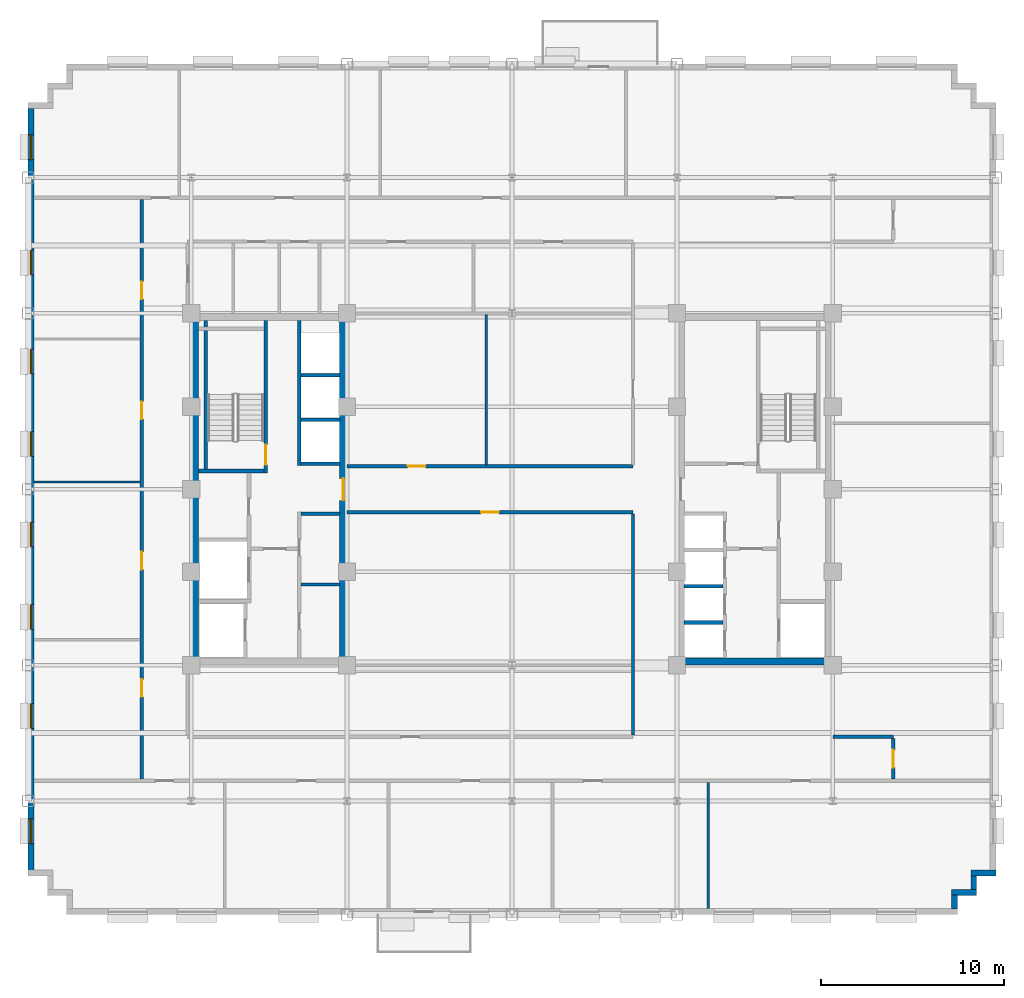
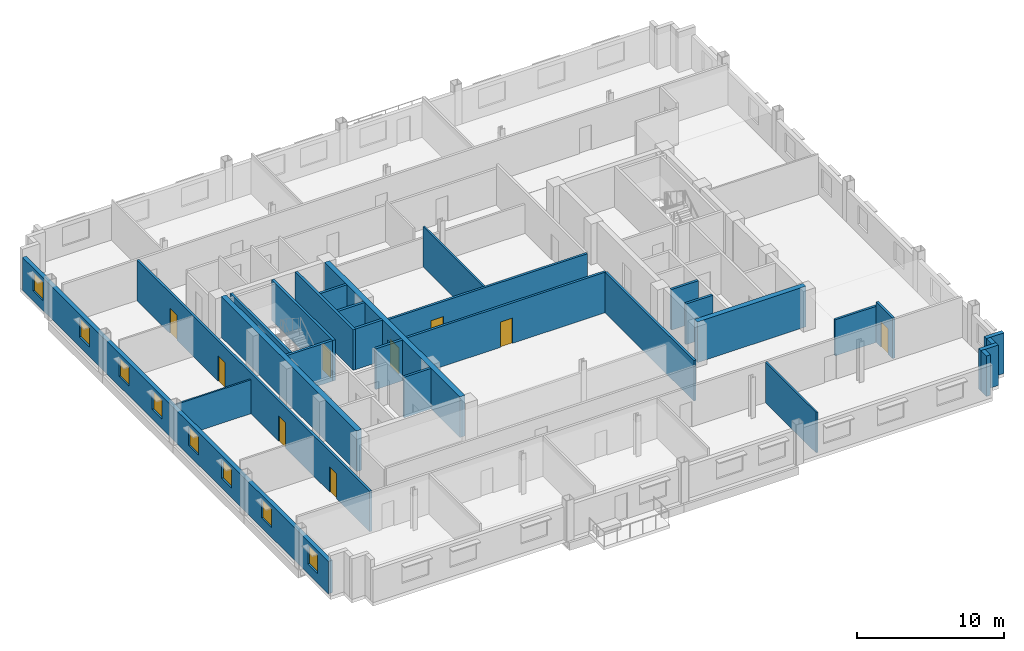
# One storey, part 7 of 14: 28 walls, 9 doors, 8 windows, 17 openings.
"""IFC4 building model written with IfcOpenShell, lengths in metres."""

from ifc_helpers import new_model, si_unit, direction, frame, frame_2d, origin, place, context, subcontext, project, spatial, rectangle, extrude, source, transform, mapped, material, layer, layer_set, type_object, type_shapes, element, fill, save


model = new_model("IFC4")

# Units and contexts
model_context = context("Model", 3, precision=1e-05, world=origin(), true_north=direction((0.0, 1.0)))
body_context = subcontext(model_context, "Body", "Model", "MODEL_VIEW")
ifc_project = project(units=[si_unit("LENGTHUNIT", "METRE"), si_unit("AREAUNIT", "SQUARE_METRE"), si_unit("VOLUMEUNIT", "CUBIC_METRE"), si_unit("PLANEANGLEUNIT", "RADIAN"), si_unit("MASSUNIT", "GRAM", prefix="KILO")], contexts=[model_context])

# Site, building, storey
site_placement = place(None, origin())
site = spatial("IfcSite", under=ifc_project, at=site_placement, CompositionType="ELEMENT")
building_placement = place(site_placement, origin())
building = spatial("IfcBuilding", under=site, at=building_placement, Name="Nuvemarco Arch Tower", CompositionType="ELEMENT")
storey_placement = place(building_placement, frame((0.0, 0.0, 160.35009765625)))
storey = spatial("IfcBuildingStorey", under=building, at=storey_placement, Name="L42", CompositionType="ELEMENT", Elevation=160.35009765625)

# Walls
ifc_material_1 = material(Name="Precast concrete C45/55", Category="concrete")
ifc_layer_1 = layer(ifc_material_1, 0.320068359375, Name="EW-MID-320")
ifc_layer_set_1 = layer_set([ifc_layer_1], Name="Precast concrete C45/55")
wall_type_1 = type_object("IfcWallType", Name="EW-MID-320", PredefinedType="STANDARD", material=ifc_layer_set_1)
wall_1_placement = place(storey_placement, frame((24.139892578125, -22.884033203125, 0.0), z_axis=(0.0, 0.0, 1.0), x_axis=(0.0, 1.0, 0.0)))
element("IfcWall", 1, at=wall_1_placement, inside=storey, type_object=wall_type_1, Name="L42 exterior precast facade wall 2", PredefinedType="STANDARD", context=body_context, shape_type="SweptSolid", body=[
    extrude(rectangle(XDim=0.738037109375, YDim=0.320068359375, at=frame_2d((0.369140625, 0.0))), origin(), (0.0, 0.0, 1.0), 3.35986328125),
])
wall_2_placement = place(storey_placement, frame((23.97998046875, -21.989990234375, 0.0), z_axis=(0.0, 0.0, 1.0), x_axis=(1.0, 0.0, 0.0)))
element("IfcWall", 2, at=wall_2_placement, inside=storey, type_object=wall_type_1, Name="L42 exterior precast facade wall 3", PredefinedType="STANDARD", context=body_context, shape_type="SweptSolid", body=[
    extrude(rectangle(XDim=1.3701171875, YDim=0.320068359375, at=frame_2d((0.68505859375, 0.0))), origin(), (0.0, 0.0, 1.0), 3.35986328125),
])
wall_3_placement = place(storey_placement, frame((25.18994140625, -21.833984375, 0.0), z_axis=(0.0, 0.0, 1.0), x_axis=(0.0, 1.0, 0.0)))
element("IfcWall", 3, at=wall_3_placement, inside=storey, type_object=wall_type_1, Name="L42 exterior precast facade wall 4", PredefinedType="STANDARD", context=body_context, shape_type="SweptSolid", body=[
    extrude(rectangle(XDim=0.738037109375, YDim=0.320068359375, at=frame_2d((0.369140625, 0.0))), origin(), (0.0, 0.0, 1.0), 3.35986328125),
])
wall_4_placement = place(storey_placement, frame((25.030029296875, -20.93994140625, 0.0), z_axis=(0.0, 0.0, 1.0), x_axis=(1.0, 0.0, 0.0)))
element("IfcWall", 4, at=wall_4_placement, inside=storey, type_object=wall_type_1, Name="L42 exterior precast facade wall 5", PredefinedType="STANDARD", context=body_context, shape_type="SweptSolid", body=[
    extrude(rectangle(XDim=1.369873046875, YDim=0.320068359375, at=frame_2d((0.68505859375, 0.0))), origin(), (0.0, 0.0, 1.0), 3.35986328125),
])

# Wall, openings, windows
wall_5_placement = place(storey_placement, frame((-26.239990234375, -20.783935546875, 0.0), z_axis=(0.0, 0.0, 1.0), x_axis=(0.0, 1.0, 0.0)))
wall_5 = element("IfcWall", 5, at=wall_5_placement, inside=storey, type_object=wall_type_1, Name="L42 exterior precast facade wall 16", PredefinedType="STANDARD", context=body_context, shape_type="SweptSolid", body=[
    extrude(rectangle(XDim=41.56787109375, YDim=0.320068359375, at=frame_2d((20.783935546875, 0.0))), origin(), (0.0, 0.0, 1.0), 2.704833984375),
])
opening_1_placement = place(wall_5_placement, frame((1.447998046875, 0.0, 0.800048828125)))
opening_1 = element("IfcOpeningElement", 6, at=opening_1_placement, cuts=wall_5, Name="Opening WN-6", PredefinedType="OPENING", context=body_context, shape_type="SweptSolid", body=[
    extrude(rectangle(XDim=1.35009765625, YDim=1.56005859375, at=frame_2d((0.675048828125, 0.780029296875))), frame((0.0, 0.169921875, 0.0), z_axis=(0.0, -1.0, 0.0), x_axis=(1.0, 0.0, 0.0)), (0.0, 0.0, 1.0), 0.340087890625),
])
opening_2_placement = place(wall_5_placement, frame((7.743896484375, 0.0, 0.800048828125)))
opening_2 = element("IfcOpeningElement", 7, at=opening_2_placement, cuts=wall_5, Name="Opening WN-6", PredefinedType="OPENING", context=body_context, shape_type="SweptSolid", body=[
    extrude(rectangle(XDim=1.35009765625, YDim=1.56005859375, at=frame_2d((0.675048828125, 0.780029296875))), frame((0.0, 0.169921875, 0.0), z_axis=(0.0, -1.0, 0.0), x_axis=(1.0, 0.0, 0.0)), (0.0, 0.0, 1.0), 0.340087890625),
])
opening_3_placement = place(wall_5_placement, frame((13.139892578125, 0.0, 0.800048828125)))
opening_3 = element("IfcOpeningElement", 8, at=opening_3_placement, cuts=wall_5, Name="Opening WN-6", PredefinedType="OPENING", context=body_context, shape_type="SweptSolid", body=[
    extrude(rectangle(XDim=1.35009765625, YDim=1.56005859375, at=frame_2d((0.675048828125, 0.780029296875))), frame((0.0, 0.169921875, 0.0), z_axis=(0.0, -1.0, 0.0), x_axis=(1.0, 0.0, 0.0)), (0.0, 0.0, 1.0), 0.340087890625),
])
opening_4_placement = place(wall_5_placement, frame((17.635986328125, 0.0, 0.800048828125)))
opening_4 = element("IfcOpeningElement", 9, at=opening_4_placement, cuts=wall_5, Name="Opening WN-6", PredefinedType="OPENING", context=body_context, shape_type="SweptSolid", body=[
    extrude(rectangle(XDim=1.35009765625, YDim=1.56005859375, at=frame_2d((0.675048828125, 0.780029296875))), frame((0.0, 0.169921875, 0.0), z_axis=(0.0, -1.0, 0.0), x_axis=(1.0, 0.0, 0.0)), (0.0, 0.0, 1.0), 0.340087890625),
])
opening_5_placement = place(wall_5_placement, frame((22.58203125, 0.0, 0.800048828125)))
opening_5 = element("IfcOpeningElement", 10, at=opening_5_placement, cuts=wall_5, Name="Opening WN-6", PredefinedType="OPENING", context=body_context, shape_type="SweptSolid", body=[
    extrude(rectangle(XDim=1.35009765625, YDim=1.56005859375, at=frame_2d((0.675048828125, 0.780029296875))), frame((0.0, 0.169921875, 0.0), z_axis=(0.0, -1.0, 0.0), x_axis=(1.0, 0.0, 0.0)), (0.0, 0.0, 1.0), 0.340087890625),
])
opening_6_placement = place(wall_5_placement, frame((27.077880859375, 0.0, 0.800048828125)))
opening_6 = element("IfcOpeningElement", 11, at=opening_6_placement, cuts=wall_5, Name="Opening WN-6", PredefinedType="OPENING", context=body_context, shape_type="SweptSolid", body=[
    extrude(rectangle(XDim=1.35009765625, YDim=1.56005859375, at=frame_2d((0.675048828125, 0.780029296875))), frame((0.0, 0.169921875, 0.0), z_axis=(0.0, -1.0, 0.0), x_axis=(1.0, 0.0, 0.0)), (0.0, 0.0, 1.0), 0.340087890625),
])
opening_7_placement = place(wall_5_placement, frame((32.47412109375, 0.0, 0.800048828125)))
opening_7 = element("IfcOpeningElement", 12, at=opening_7_placement, cuts=wall_5, Name="Opening WN-6", PredefinedType="OPENING", context=body_context, shape_type="SweptSolid", body=[
    extrude(rectangle(XDim=1.35009765625, YDim=1.56005859375, at=frame_2d((0.675048828125, 0.780029296875))), frame((0.0, 0.169921875, 0.0), z_axis=(0.0, -1.0, 0.0), x_axis=(1.0, 0.0, 0.0)), (0.0, 0.0, 1.0), 0.340087890625),
])
opening_8_placement = place(wall_5_placement, frame((38.77001953125, 0.0, 0.800048828125)))
opening_8 = element("IfcOpeningElement", 13, at=opening_8_placement, cuts=wall_5, Name="Opening WN-6", PredefinedType="OPENING", context=body_context, shape_type="SweptSolid", body=[
    extrude(rectangle(XDim=1.35009765625, YDim=1.56005859375, at=frame_2d((0.675048828125, 0.780029296875))), frame((0.0, 0.169921875, 0.0), z_axis=(0.0, -1.0, 0.0), x_axis=(1.0, 0.0, 0.0)), (0.0, 0.0, 1.0), 0.340087890625),
])
ifc_material_2 = material(Name="Insulated solar-control glass", Category="glass")
window_type = type_object("IfcWindowType", Name="WN-MID-1350x1560", PartitioningType="SINGLE_PANEL", PredefinedType="WINDOW", material=ifc_material_2)
shared_shape_1 = source(origin(), body_context, "Body", "SweptSolid", [
    extrude(rectangle(XDim=1.35009765625, YDim=1.56005859375, at=frame_2d((0.675048828125, 0.780029296875))), frame((0.0, 0.030029296875, 0.0), z_axis=(0.0, -1.0, 0.0), x_axis=(1.0, 0.0, 0.0)), (0.0, 0.0, 1.0), 0.06005859375),
])
type_shapes(window_type, [shared_shape_1])
window_1_placement = place(opening_1_placement, origin())
window_1 = element("IfcWindow", 14, at=window_1_placement, inside=storey, type_object=window_type, Name="L42 punched facade window 1", OverallHeight=1.56005859375, OverallWidth=1.35009765625, PartitioningType="SINGLE_PANEL", PredefinedType="WINDOW", context=body_context, shape_type="MappedRepresentation", body=[
    mapped(shared_shape_1, transform((0.0, 0.0, 0.0), scale=1.0)),
])
fill(opening_1, window_1)
window_2_placement = place(opening_2_placement, origin())
window_2 = element("IfcWindow", 15, at=window_2_placement, inside=storey, type_object=window_type, Name="L42 punched facade window 2", OverallHeight=1.56005859375, OverallWidth=1.35009765625, PartitioningType="SINGLE_PANEL", PredefinedType="WINDOW", context=body_context, shape_type="MappedRepresentation", body=[
    mapped(shared_shape_1, transform((0.0, 0.0, 0.0), scale=1.0)),
])
fill(opening_2, window_2)
window_3_placement = place(opening_3_placement, origin())
window_3 = element("IfcWindow", 16, at=window_3_placement, inside=storey, type_object=window_type, Name="L42 punched facade window 3", OverallHeight=1.56005859375, OverallWidth=1.35009765625, PartitioningType="SINGLE_PANEL", PredefinedType="WINDOW", context=body_context, shape_type="MappedRepresentation", body=[
    mapped(shared_shape_1, transform((0.0, 0.0, 0.0), scale=1.0)),
])
fill(opening_3, window_3)
window_4_placement = place(opening_4_placement, origin())
window_4 = element("IfcWindow", 17, at=window_4_placement, inside=storey, type_object=window_type, Name="L42 punched facade window 4", OverallHeight=1.56005859375, OverallWidth=1.35009765625, PartitioningType="SINGLE_PANEL", PredefinedType="WINDOW", context=body_context, shape_type="MappedRepresentation", body=[
    mapped(shared_shape_1, transform((0.0, 0.0, 0.0), scale=1.0)),
])
fill(opening_4, window_4)
window_5_placement = place(opening_5_placement, origin())
window_5 = element("IfcWindow", 18, at=window_5_placement, inside=storey, type_object=window_type, Name="L42 punched facade window 5", OverallHeight=1.56005859375, OverallWidth=1.35009765625, PartitioningType="SINGLE_PANEL", PredefinedType="WINDOW", context=body_context, shape_type="MappedRepresentation", body=[
    mapped(shared_shape_1, transform((0.0, 0.0, 0.0), scale=1.0)),
])
fill(opening_5, window_5)
window_6_placement = place(opening_6_placement, origin())
window_6 = element("IfcWindow", 19, at=window_6_placement, inside=storey, type_object=window_type, Name="L42 punched facade window 6", OverallHeight=1.56005859375, OverallWidth=1.35009765625, PartitioningType="SINGLE_PANEL", PredefinedType="WINDOW", context=body_context, shape_type="MappedRepresentation", body=[
    mapped(shared_shape_1, transform((0.0, 0.0, 0.0), scale=1.0)),
])
fill(opening_6, window_6)
window_7_placement = place(opening_7_placement, origin())
window_7 = element("IfcWindow", 20, at=window_7_placement, inside=storey, type_object=window_type, Name="L42 punched facade window 7", OverallHeight=1.56005859375, OverallWidth=1.35009765625, PartitioningType="SINGLE_PANEL", PredefinedType="WINDOW", context=body_context, shape_type="MappedRepresentation", body=[
    mapped(shared_shape_1, transform((0.0, 0.0, 0.0), scale=1.0)),
])
fill(opening_7, window_7)
window_8_placement = place(opening_8_placement, origin())
window_8 = element("IfcWindow", 21, at=window_8_placement, inside=storey, type_object=window_type, Name="L42 punched facade window 8", OverallHeight=1.56005859375, OverallWidth=1.35009765625, PartitioningType="SINGLE_PANEL", PredefinedType="WINDOW", context=body_context, shape_type="MappedRepresentation", body=[
    mapped(shared_shape_1, transform((0.0, 0.0, 0.0), scale=1.0)),
])
fill(opening_8, window_8)

# Wall
ifc_material_3 = material(Name="Concrete C60/75", Category="concrete")
ifc_layer_2 = layer(ifc_material_3, 0.39990234375, Name="WL-CORE-400")
ifc_layer_set_2 = layer_set([ifc_layer_2], Name="Concrete C60/75")
wall_type_2 = type_object("IfcWallType", Name="WL-CORE-400", PredefinedType="SHEAR", material=ifc_layer_set_2)
wall_6_placement = place(storey_placement, frame((-17.300048828125, -9.205078125, 0.0), z_axis=(0.0, 0.0, 1.0), x_axis=(0.0, 1.0, 0.0)))
element("IfcWall", 22, at=wall_6_placement, inside=storey, type_object=wall_type_2, Name="L42 W-core shear wall W", PredefinedType="SHEAR", context=body_context, shape_type="SweptSolid", body=[
    extrude(rectangle(XDim=18.41015625, YDim=0.39990234375, at=frame_2d((9.205078125, 0.0))), origin(), (0.0, 0.0, 1.0), 3.369873046875),
])

# Wall, opening, door
wall_7_placement = place(storey_placement, frame((-9.199951171875, -9.205078125, 0.0), z_axis=(0.0, 0.0, 1.0), x_axis=(0.0, 1.0, 0.0)))
wall_7 = element("IfcWall", 23, at=wall_7_placement, inside=storey, type_object=wall_type_2, Name="L42 W-core shear wall E", PredefinedType="SHEAR", context=body_context, shape_type="SweptSolid", body=[
    extrude(rectangle(XDim=18.41015625, YDim=0.39990234375, at=frame_2d((9.205078125, 0.0))), origin(), (0.0, 0.0, 1.0), 3.369873046875),
])
opening_9_placement = place(wall_7_placement, frame((8.60498046875, 0.0, 0.0)))
opening_9 = element("IfcOpeningElement", 24, at=opening_9_placement, cuts=wall_7, Name="Opening FD-2", PredefinedType="OPENING", context=body_context, shape_type="SweptSolid", body=[
    extrude(rectangle(XDim=1.199951171875, YDim=2.14990234375, at=frame_2d((0.60009765625, 1.074951171875))), frame((0.0, 0.2099609375, 0.0), z_axis=(0.0, -1.0, 0.0), x_axis=(1.0, 0.0, 0.0)), (0.0, 0.0, 1.0), 0.419921875),
])
ifc_material_4 = material(Name="Anodised steel fire door", Category="steel")
door_type_1 = type_object("IfcDoorType", Name="DR-FFLOB-FD", OperationType="NOTDEFINED", PredefinedType="DOOR", material=ifc_material_4)
shared_shape_2 = source(origin(), body_context, "Body", "SweptSolid", [
    extrude(rectangle(XDim=1.199951171875, YDim=2.14990234375, at=frame_2d((0.60009765625, 1.074951171875))), frame((0.0, 0.02490234375, 0.0), z_axis=(0.0, -1.0, 0.0), x_axis=(1.0, 0.0, 0.0)), (0.0, 0.0, 1.0), 0.050048828125),
])
type_shapes(door_type_1, [shared_shape_2])
door_1_placement = place(opening_9_placement, origin())
door_1 = element("IfcDoor", 25, at=door_1_placement, inside=storey, type_object=door_type_1, Name="L42 door FD-L42-WCORE-E", OperationType="SINGLE_SWING_RIGHT", OverallHeight=2.14990234375, OverallWidth=1.199951171875, PredefinedType="DOOR", context=body_context, shape_type="MappedRepresentation", body=[
    mapped(shared_shape_2, transform((0.0, 0.0, 0.0), scale=1.0)),
])
fill(opening_9, door_1)

# Walls
wall_8_placement = place(storey_placement, frame((9.0, -9.39990234375, 0.0), z_axis=(0.0, 0.0, 1.0), x_axis=(1.0, 0.0, 0.0)))
element("IfcWall", 26, at=wall_8_placement, inside=storey, type_object=wall_type_2, Name="L42 E-core shear wall S", PredefinedType="SHEAR", context=body_context, shape_type="SweptSolid", body=[
    extrude(rectangle(XDim=8.5, YDim=0.39990234375, at=frame_2d((4.25, 0.0))), origin(), (0.0, 0.0, 1.0), 3.369873046875),
])
ifc_material_5 = material(Name="Fire-rated gypsum drywall partition")
ifc_layer_3 = layer(ifc_material_5, 0.179931640625, Name="WL-CORR-180")
ifc_layer_set_3 = layer_set([ifc_layer_3], Name="Fire-rated gypsum drywall partition")
wall_type_3 = type_object("IfcWallType", Name="WL-CORR-180", PredefinedType="PARTITIONING", material=ifc_layer_set_3)
wall_9_placement = place(storey_placement, frame((-11.5048828125, -5.199951171875, 0.0), z_axis=(0.0, 0.0, 1.0), x_axis=(1.0, 0.0, 0.0)))
element("IfcWall", 27, at=wall_9_placement, inside=storey, type_object=wall_type_3, Name="L42 interior wall IW-L42-W-RECK1", PredefinedType="PARTITIONING", context=body_context, shape_type="SweptSolid", body=[
    extrude(rectangle(XDim=2.10986328125, YDim=0.179931640625, at=frame_2d((1.054931640625, 0.0))), origin(), (0.0, 0.0, 1.0), 3.35986328125),
])
wall_10_placement = place(storey_placement, frame((17.5, -13.5, 0.0), z_axis=(0.0, 0.0, 1.0), x_axis=(1.0, 0.0, 0.0)))
element("IfcWall", 28, at=wall_10_placement, inside=storey, type_object=wall_type_3, Name="L42 interior wall IW-L42-003", PredefinedType="PARTITIONING", context=body_context, shape_type="SweptSolid", body=[
    extrude(rectangle(XDim=3.300048828125, YDim=0.179931640625, at=frame_2d((1.64990234375, 0.0))), origin(), (0.0, 0.0, 1.0), 2.997802734375),
])

# Wall, opening, door
wall_11_placement = place(storey_placement, frame((-9.0, -1.25, 0.0), z_axis=(0.0, 0.0, 1.0), x_axis=(1.0, 0.0, 0.0)))
wall_11 = element("IfcWall", 29, at=wall_11_placement, inside=storey, type_object=wall_type_3, Name="L42 interior wall IW-L42-007", PredefinedType="PARTITIONING", context=body_context, shape_type="SweptSolid", body=[
    extrude(rectangle(XDim=15.60009765625, YDim=0.179931640625, at=frame_2d((7.800048828125, 0.0))), origin(), (0.0, 0.0, 1.0), 3.35986328125),
])
opening_10_placement = place(wall_11_placement, frame((7.320068359375, 0.0, 0.0)))
opening_10 = element("IfcOpeningElement", 30, at=opening_10_placement, cuts=wall_11, Name="Opening FD-5", PredefinedType="OPENING", context=body_context, shape_type="SweptSolid", body=[
    extrude(rectangle(XDim=0.9599609375, YDim=2.10009765625, at=frame_2d((0.47998046875, 1.050048828125))), frame((0.0, 0.099853515625, 0.0), z_axis=(0.0, -1.0, 0.0), x_axis=(1.0, 0.0, 0.0)), (0.0, 0.0, 1.0), 0.199951171875),
])
ifc_material_6 = material(Name="Timber fire door", Category="wood")
door_type_2 = type_object("IfcDoorType", Name="DR-CORR-FD", OperationType="NOTDEFINED", PredefinedType="DOOR", material=ifc_material_6)
shared_shape_3 = source(origin(), body_context, "Body", "SweptSolid", [
    extrude(rectangle(XDim=0.9599609375, YDim=2.10009765625, at=frame_2d((0.47998046875, 1.050048828125))), frame((0.0, 0.02490234375, 0.0), z_axis=(0.0, -1.0, 0.0), x_axis=(1.0, 0.0, 0.0)), (0.0, 0.0, 1.0), 0.050048828125),
])
type_shapes(door_type_2, [shared_shape_3])
door_2_placement = place(opening_10_placement, origin())
door_2 = element("IfcDoor", 31, at=door_2_placement, inside=storey, type_object=door_type_2, Name="L42 door DR-L42-C_S1", OperationType="SINGLE_SWING_RIGHT", OverallHeight=2.10009765625, OverallWidth=0.9599609375, PredefinedType="DOOR", context=body_context, shape_type="MappedRepresentation", body=[
    mapped(shared_shape_3, transform((0.0, 0.0, 0.0), scale=1.0)),
])
fill(opening_10, door_2)

wall_12_placement = place(storey_placement, frame((-9.0, 1.25, 0.0), z_axis=(0.0, 0.0, 1.0), x_axis=(1.0, 0.0, 0.0)))
wall_12 = element("IfcWall", 32, at=wall_12_placement, inside=storey, type_object=wall_type_3, Name="L42 interior wall IW-L42-009", PredefinedType="PARTITIONING", context=body_context, shape_type="SweptSolid", body=[
    extrude(rectangle(XDim=15.60009765625, YDim=0.179931640625, at=frame_2d((7.800048828125, 0.0))), origin(), (0.0, 0.0, 1.0), 3.35986328125),
])
opening_11_placement = place(wall_12_placement, frame((3.320068359375, 0.0, 0.0)))
opening_11 = element("IfcOpeningElement", 33, at=opening_11_placement, cuts=wall_12, Name="Opening FD-5", PredefinedType="OPENING", context=body_context, shape_type="SweptSolid", body=[
    extrude(rectangle(XDim=0.9599609375, YDim=2.10009765625, at=frame_2d((0.47998046875, 1.050048828125))), frame((0.0, 0.099853515625, 0.0), z_axis=(0.0, -1.0, 0.0), x_axis=(1.0, 0.0, 0.0)), (0.0, 0.0, 1.0), 0.199951171875),
])
door_3_placement = place(opening_11_placement, origin())
door_3 = element("IfcDoor", 34, at=door_3_placement, inside=storey, type_object=door_type_2, Name="L42 door DR-L42-C_N1", OperationType="SINGLE_SWING_RIGHT", OverallHeight=2.10009765625, OverallWidth=0.9599609375, PredefinedType="DOOR", context=body_context, shape_type="MappedRepresentation", body=[
    mapped(shared_shape_3, transform((0.0, 0.0, 0.0), scale=1.0)),
])
fill(opening_11, door_3)

# Wall, openings, doors
wall_13_placement = place(storey_placement, frame((-20.199951171875, -15.81396484375, 0.0), z_axis=(0.0, 0.0, 1.0), x_axis=(0.0, 1.0, 0.0)))
wall_13 = element("IfcWall", 35, at=wall_13_placement, inside=storey, type_object=wall_type_3, Name="L42 interior wall IW-L42-017", PredefinedType="PARTITIONING", context=body_context, shape_type="SweptSolid", body=[
    extrude(rectangle(XDim=31.6279296875, YDim=0.179931640625, at=frame_2d((15.81396484375, 0.0))), origin(), (0.0, 0.0, 1.0), 3.35986328125),
])
opening_12_placement = place(wall_13_placement, frame((11.43408203125, 0.0, 0.0)))
opening_12 = element("IfcOpeningElement", 36, at=opening_12_placement, cuts=wall_13, Name="Opening FD-5", PredefinedType="OPENING", context=body_context, shape_type="SweptSolid", body=[
    extrude(rectangle(XDim=0.9599609375, YDim=2.10009765625, at=frame_2d((0.47998046875, 1.050048828125))), frame((0.0, 0.099853515625, 0.0), z_axis=(0.0, -1.0, 0.0), x_axis=(1.0, 0.0, 0.0)), (0.0, 0.0, 1.0), 0.199951171875),
])
opening_13_placement = place(wall_13_placement, frame((19.634033203125, 0.0, 0.0)))
opening_13 = element("IfcOpeningElement", 37, at=opening_13_placement, cuts=wall_13, Name="Opening FD-5", PredefinedType="OPENING", context=body_context, shape_type="SweptSolid", body=[
    extrude(rectangle(XDim=0.9599609375, YDim=2.10009765625, at=frame_2d((0.47998046875, 1.050048828125))), frame((0.0, 0.099853515625, 0.0), z_axis=(0.0, -1.0, 0.0), x_axis=(1.0, 0.0, 0.0)), (0.0, 0.0, 1.0), 0.199951171875),
])
opening_14_placement = place(wall_13_placement, frame((4.48388671875, 0.0, 0.0)))
opening_14 = element("IfcOpeningElement", 38, at=opening_14_placement, cuts=wall_13, Name="Opening FD-5", PredefinedType="OPENING", context=body_context, shape_type="SweptSolid", body=[
    extrude(rectangle(XDim=0.9599609375, YDim=2.10009765625, at=frame_2d((0.47998046875, 1.050048828125))), frame((0.0, 0.099853515625, 0.0), z_axis=(0.0, -1.0, 0.0), x_axis=(1.0, 0.0, 0.0)), (0.0, 0.0, 1.0), 0.199951171875),
])
opening_15_placement = place(wall_13_placement, frame((26.18408203125, 0.0, 0.0)))
opening_15 = element("IfcOpeningElement", 39, at=opening_15_placement, cuts=wall_13, Name="Opening FD-5", PredefinedType="OPENING", context=body_context, shape_type="SweptSolid", body=[
    extrude(rectangle(XDim=0.9599609375, YDim=2.10009765625, at=frame_2d((0.47998046875, 1.050048828125))), frame((0.0, 0.099853515625, 0.0), z_axis=(0.0, -1.0, 0.0), x_axis=(1.0, 0.0, 0.0)), (0.0, 0.0, 1.0), 0.199951171875),
])
door_4_placement = place(opening_12_placement, origin())
door_4 = element("IfcDoor", 40, at=door_4_placement, inside=storey, type_object=door_type_2, Name="L42 door DR-L42-W_2", OperationType="SINGLE_SWING_RIGHT", OverallHeight=2.10009765625, OverallWidth=0.9599609375, PredefinedType="DOOR", context=body_context, shape_type="MappedRepresentation", body=[
    mapped(shared_shape_3, transform((0.0, 0.0, 0.0), scale=1.0)),
])
fill(opening_12, door_4)
door_5_placement = place(opening_13_placement, origin())
door_5 = element("IfcDoor", 41, at=door_5_placement, inside=storey, type_object=door_type_2, Name="L42 door DR-L42-W_3", OperationType="SINGLE_SWING_LEFT", OverallHeight=2.10009765625, OverallWidth=0.9599609375, PredefinedType="DOOR", context=body_context, shape_type="MappedRepresentation", body=[
    mapped(shared_shape_3, transform((0.0, 0.0, 0.0), scale=1.0)),
])
fill(opening_13, door_5)
door_6_placement = place(opening_14_placement, origin())
door_6 = element("IfcDoor", 42, at=door_6_placement, inside=storey, type_object=door_type_2, Name="L42 door DR-L42-W_1", OperationType="SINGLE_SWING_LEFT", OverallHeight=2.10009765625, OverallWidth=0.9599609375, PredefinedType="DOOR", context=body_context, shape_type="MappedRepresentation", body=[
    mapped(shared_shape_3, transform((0.0, 0.0, 0.0), scale=1.0)),
])
fill(opening_14, door_6)
door_7_placement = place(opening_15_placement, origin())
door_7 = element("IfcDoor", 43, at=door_7_placement, inside=storey, type_object=door_type_2, Name="L42 door DR-L42-W_4", OperationType="SINGLE_SWING_RIGHT", OverallHeight=2.10009765625, OverallWidth=0.9599609375, PredefinedType="DOOR", context=body_context, shape_type="MappedRepresentation", body=[
    mapped(shared_shape_3, transform((0.0, 0.0, 0.0), scale=1.0)),
])
fill(opening_15, door_7)

# Wall
wall_14_placement = place(storey_placement, frame((6.60009765625, -13.4140625, 0.0), z_axis=(0.0, 0.0, 1.0), x_axis=(0.0, 1.0, 0.0)))
element("IfcWall", 44, at=wall_14_placement, inside=storey, type_object=wall_type_3, Name="L42 interior wall IW-L42-031", PredefinedType="PARTITIONING", context=body_context, shape_type="SweptSolid", body=[
    extrude(rectangle(XDim=12.078125, YDim=0.179931640625, at=frame_2d((6.0390625, 0.0))), origin(), (0.0, 0.0, 1.0), 3.35986328125),
])

# Wall, opening, door
wall_15_placement = place(storey_placement, frame((20.800048828125, -15.81396484375, 0.0), z_axis=(0.0, 0.0, 1.0), x_axis=(0.0, 1.0, 0.0)))
wall_15 = element("IfcWall", 45, at=wall_15_placement, inside=storey, type_object=wall_type_3, Name="L42 interior wall IW-L42-034", PredefinedType="PARTITIONING", context=body_context, shape_type="SweptSolid", body=[
    extrude(rectangle(XDim=2.22802734375, YDim=0.179931640625, at=frame_2d((1.114013671875, 0.0))), origin(), (0.0, 0.0, 1.0), 3.35986328125),
])
opening_16_placement = place(wall_15_placement, frame((0.634033203125, 0.0, 0.0)))
opening_16 = element("IfcOpeningElement", 46, at=opening_16_placement, cuts=wall_15, Name="Opening FD-5", PredefinedType="OPENING", context=body_context, shape_type="SweptSolid", body=[
    extrude(rectangle(XDim=0.9599609375, YDim=2.10009765625, at=frame_2d((0.47998046875, 1.050048828125))), frame((0.0, 0.099853515625, 0.0), z_axis=(0.0, -1.0, 0.0), x_axis=(1.0, 0.0, 0.0)), (0.0, 0.0, 1.0), 0.199951171875),
])
door_8_placement = place(opening_16_placement, origin())
door_8 = element("IfcDoor", 47, at=door_8_placement, inside=storey, type_object=door_type_2, Name="L42 door DR-L42-E_1", OperationType="SINGLE_SWING_LEFT", OverallHeight=2.10009765625, OverallWidth=0.9599609375, PredefinedType="DOOR", context=body_context, shape_type="MappedRepresentation", body=[
    mapped(shared_shape_3, transform((0.0, 0.0, 0.0), scale=1.0)),
])
fill(opening_16, door_8)

# Walls
ifc_material_7 = material(Name="Glazed acoustic office partition")
ifc_layer_4 = layer(ifc_material_7, 0.1298828125, Name="WL-EXEC-130")
ifc_layer_set_4 = layer_set([ifc_layer_4], Name="Glazed acoustic office partition")
wall_type_4 = type_object("IfcWallType", Name="WL-EXEC-130", PredefinedType="PARTITIONING", material=ifc_layer_set_4)
wall_16_placement = place(storey_placement, frame((-26.080078125, 0.39990234375, 0.0), z_axis=(0.0, 0.0, 1.0), x_axis=(1.0, 0.0, 0.0)))
element("IfcWall", 48, at=wall_16_placement, inside=storey, type_object=wall_type_4, Name="L42 interior wall IW-L42-008", PredefinedType="PARTITIONING", context=body_context, shape_type="SweptSolid", body=[
    extrude(rectangle(XDim=5.794189453125, YDim=0.1298828125, at=frame_2d((2.89697265625, 0.0))), origin(), (0.0, 0.0, 1.0), 2.81591796875),
])
ifc_material_8 = material(Name="Gypsum plasterboard partition")
ifc_layer_5 = layer(ifc_material_8, 0.139892578125, Name="WL-ROOM-140")
ifc_layer_set_5 = layer_set([ifc_layer_5], Name="Gypsum plasterboard partition")
wall_type_5 = type_object("IfcWallType", Name="WL-ROOM-140", PredefinedType="PARTITIONING", material=ifc_layer_set_5)
wall_17_placement = place(storey_placement, frame((-1.39990234375, 1.3359375, 0.0), z_axis=(0.0, 0.0, 1.0), x_axis=(0.0, 1.0, 0.0)))
element("IfcWall", 49, at=wall_17_placement, inside=storey, type_object=wall_type_5, Name="L42 interior wall IW-L42-028", PredefinedType="PARTITIONING", context=body_context, shape_type="SweptSolid", body=[
    extrude(rectangle(XDim=8.18798828125, YDim=0.139892578125, at=frame_2d((4.093994140625, 0.0))), origin(), (0.0, 0.0, 1.0), 3.35986328125),
])
wall_18_placement = place(storey_placement, frame((10.699951171875, -22.8798828125, 0.0), z_axis=(0.0, 0.0, 1.0), x_axis=(0.0, 1.0, 0.0)))
element("IfcWall", 50, at=wall_18_placement, inside=storey, type_object=wall_type_5, Name="L42 interior wall IW-L42-033", PredefinedType="PARTITIONING", context=body_context, shape_type="SweptSolid", body=[
    extrude(rectangle(XDim=6.893798828125, YDim=0.139892578125, at=frame_2d((3.44677734375, 0.0))), origin(), (0.0, 0.0, 1.0), 3.35986328125),
])

# Wall, opening, door
ifc_material_9 = material(Name="Concrete C50/60", Category="concrete")
ifc_layer_6 = layer(ifc_material_9, 0.199951171875, Name="WL-SHAFT-220")
ifc_layer_set_6 = layer_set([ifc_layer_6], Name="Concrete C50/60")
wall_type_6 = type_object("IfcWallType", Name="WL-SHAFT-220", PredefinedType="SHEAR", material=ifc_layer_set_6)
wall_19_placement = place(storey_placement, frame((-13.43994140625, 0.89990234375, 0.0), z_axis=(0.0, 0.0, 1.0), x_axis=(0.0, 1.0, 0.0)))
wall_19 = element("IfcWall", 51, at=wall_19_placement, inside=storey, type_object=wall_type_6, Name="L42 structural shaft wall SW-L42-W-ST1E", PredefinedType="SHEAR", context=body_context, shape_type="SweptSolid", body=[
    extrude(rectangle(XDim=8.30517578125, YDim=0.199951171875, at=frame_2d((4.152587890625, 0.0))), origin(), (0.0, 0.0, 1.0), 3.369873046875),
])
opening_17_placement = place(wall_19_placement, frame((1.530029296875, 0.0, 0.0), z_axis=(0.0, 0.0, 1.0), x_axis=(-1.0, 0.0, 0.0)))
opening_17 = element("IfcOpeningElement", 52, at=opening_17_placement, cuts=wall_19, Name="Opening FD-1", PredefinedType="OPENING", context=body_context, shape_type="SweptSolid", body=[
    extrude(rectangle(XDim=1.10009765625, YDim=2.14990234375, at=frame_2d((0.550048828125, 1.074951171875))), frame((0.0, 0.10986328125, 0.0), z_axis=(0.0, -1.0, 0.0), x_axis=(1.0, 0.0, 0.0)), (0.0, 0.0, 1.0), 0.219970703125),
])
door_type_3 = type_object("IfcDoorType", Name="DR-STAIR-FD", OperationType="NOTDEFINED", PredefinedType="DOOR", material=ifc_material_4)
shared_shape_4 = source(origin(), body_context, "Body", "SweptSolid", [
    extrude(rectangle(XDim=1.10009765625, YDim=2.14990234375, at=frame_2d((0.550048828125, 1.074951171875))), frame((0.0, 0.02490234375, 0.0), z_axis=(0.0, -1.0, 0.0), x_axis=(1.0, 0.0, 0.0)), (0.0, 0.0, 1.0), 0.050048828125),
])
type_shapes(door_type_3, [shared_shape_4])
door_9_placement = place(opening_17_placement, origin())
door_9 = element("IfcDoor", 53, at=door_9_placement, inside=storey, type_object=door_type_3, Name="L42 door FD-L42-ST1", OperationType="SINGLE_SWING_RIGHT", OverallHeight=2.14990234375, OverallWidth=1.10009765625, PredefinedType="DOOR", context=body_context, shape_type="MappedRepresentation", body=[
    mapped(shared_shape_4, transform((0.0, 0.0, 0.0), scale=1.0)),
])
fill(opening_17, door_9)

# Walls
wall_20_placement = place(storey_placement, frame((-17.10498046875, 1.0, 0.0), z_axis=(0.0, 0.0, 1.0), x_axis=(1.0, 0.0, 0.0)))
element("IfcWall", 54, at=wall_20_placement, inside=storey, type_object=wall_type_6, Name="L42 structural shaft wall SW-L42-W-ST1S", PredefinedType="SHEAR", context=body_context, shape_type="SweptSolid", body=[
    extrude(rectangle(XDim=3.570068359375, YDim=0.199951171875, at=frame_2d((1.78515625, 0.0))), origin(), (0.0, 0.0, 1.0), 3.369873046875),
])
wall_21_placement = place(storey_placement, frame((-16.699951171875, 1.094970703125, 0.0), z_axis=(0.0, 0.0, 1.0), x_axis=(0.0, 1.0, 0.0)))
element("IfcWall", 55, at=wall_21_placement, inside=storey, type_object=wall_type_6, Name="L42 structural shaft wall SW-L42-W-ST1W", PredefinedType="SHEAR", context=body_context, shape_type="SweptSolid", body=[
    extrude(rectangle(XDim=8.110107421875, YDim=0.199951171875, at=frame_2d((4.05517578125, 0.0))), origin(), (0.0, 0.0, 1.0), 3.369873046875),
])
wall_22_placement = place(storey_placement, frame((-11.5048828125, -1.330078125, 0.0), z_axis=(0.0, 0.0, 1.0), x_axis=(1.0, 0.0, 0.0)))
element("IfcWall", 56, at=wall_22_placement, inside=storey, type_object=wall_type_6, Name="L42 structural shaft wall SW-L42-W-PLTOP", PredefinedType="SHEAR", context=body_context, shape_type="SweptSolid", body=[
    extrude(rectangle(XDim=2.10986328125, YDim=0.199951171875, at=frame_2d((1.054931640625, 0.0))), origin(), (0.0, 0.0, 1.0), 3.369873046875),
])
wall_23_placement = place(storey_placement, frame((-11.60009765625, 1.300048828125, 0.0), z_axis=(0.0, 0.0, 1.0), x_axis=(0.0, 1.0, 0.0)))
element("IfcWall", 57, at=wall_23_placement, inside=storey, type_object=wall_type_6, Name="L42 structural shaft wall SW-L42-W-PHW", PredefinedType="SHEAR", context=body_context, shape_type="SweptSolid", body=[
    extrude(rectangle(XDim=7.905029296875, YDim=0.199951171875, at=frame_2d((3.95263671875, 0.0))), origin(), (0.0, 0.0, 1.0), 3.369873046875),
])
for number, where, z_axis, x_axis, name in (
    (58, (-11.5048828125, 1.39990234375, 0.0), (0.0, 0.0, 1.0), (1.0, 0.0, 0.0), "L42 structural shaft wall SW-L42-W-PHD1"),
    (59, (-11.5048828125, 3.800048828125, 0.0), (0.0, 0.0, 1.0), (1.0, 0.0, 0.0), "L42 structural shaft wall SW-L42-W-PHD2"),
    (60, (-11.5048828125, 6.219970703125, 0.0), (0.0, 0.0, 1.0), (1.0, 0.0, 0.0), "L42 structural shaft wall SW-L42-W-PHD3"),
    (61, (9.39501953125, -7.27001953125, 0.0), (0.0, 0.0, 1.0), (1.0, 0.0, 0.0), "L42 structural shaft wall SW-L42-E-PMD1"),
    (62, (9.39501953125, -5.2900390625, 0.0), (0.0, 0.0, 1.0), (1.0, 0.0, 0.0), "L42 structural shaft wall SW-L42-E-PMD2"),
):
    element("IfcWall", number, at=place(storey_placement, frame(where, z_axis=z_axis, x_axis=x_axis)), inside=storey, type_object=wall_type_6, Name=name, PredefinedType="SHEAR", context=body_context, shape_type="SweptSolid", body=[
        extrude(rectangle(XDim=2.10986328125, YDim=0.199951171875, at=frame_2d((1.054931640625, 0.0))), origin(), (0.0, 0.0, 1.0), 3.369873046875),
    ])

save(model, "model.ifc")
